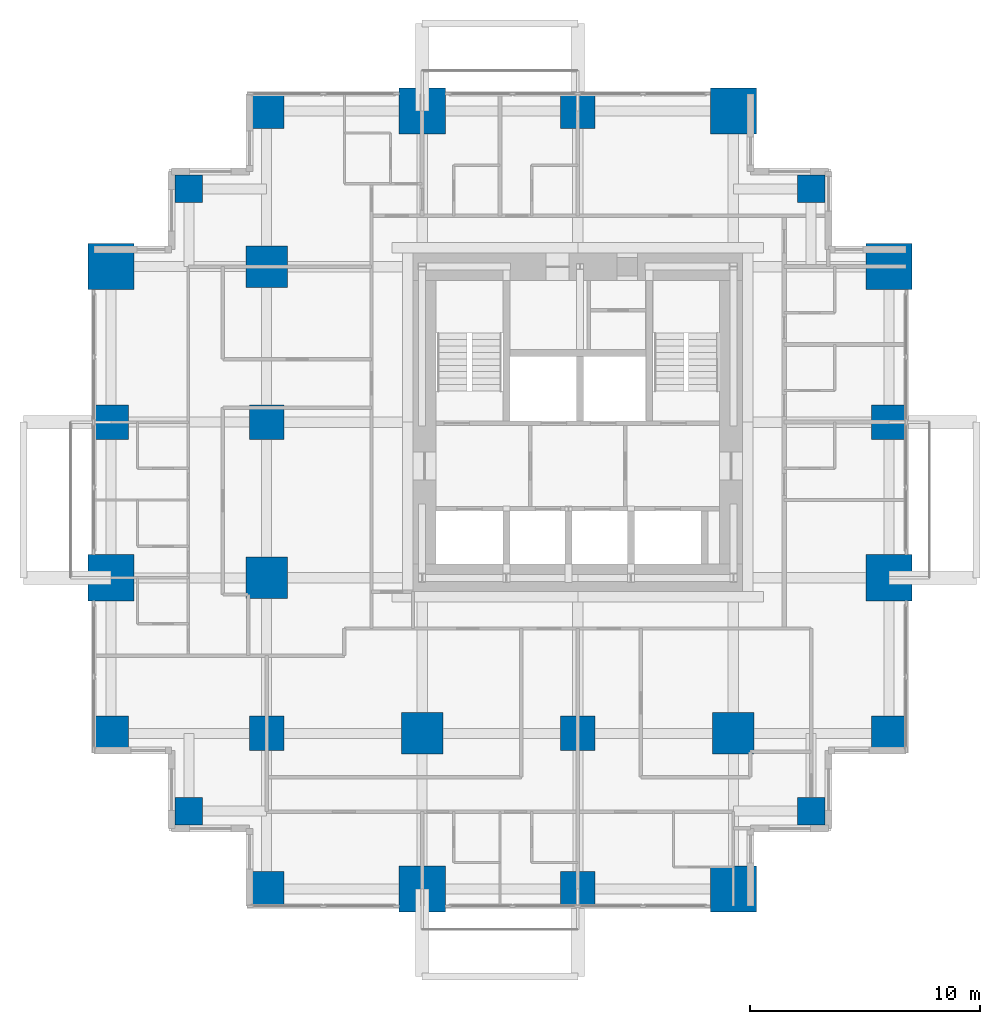
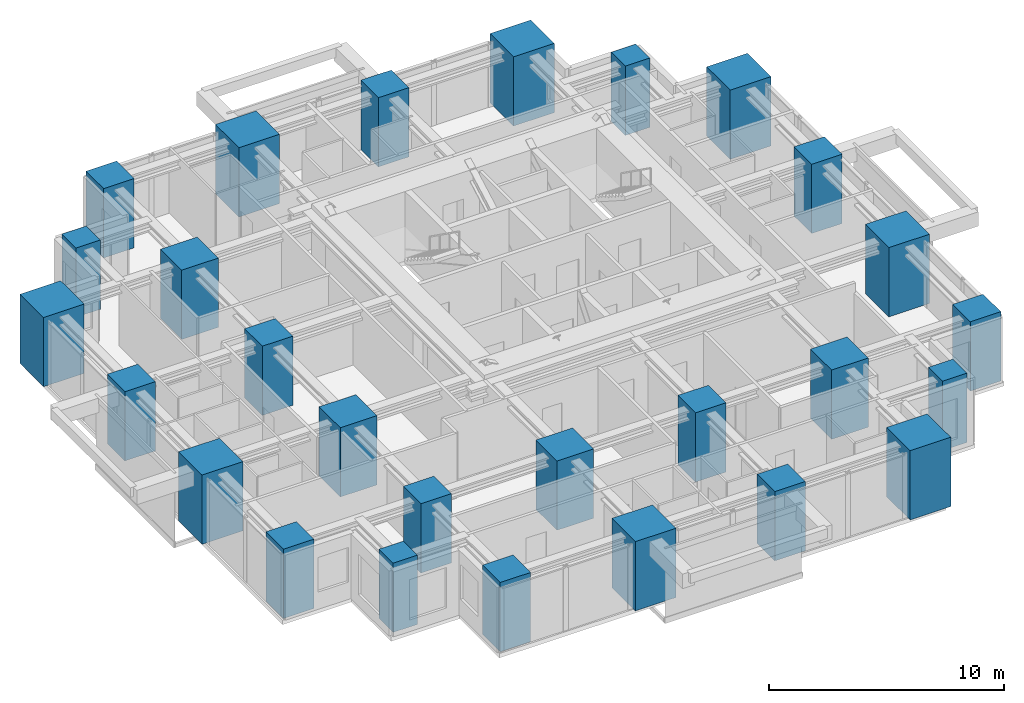
# One storey, part 1 of 10: 27 columns.
"""IFC4 building model written with IfcOpenShell, lengths in metres."""

from ifc_helpers import new_model, si_unit, direction, frame, origin, origin_2d, place, context, subcontext, project, spatial, rectangle, extrude, material, material_profile, profile_set, type_object, element, save


model = new_model("IFC4")

# Units and contexts
model_context = context("Model", 3, precision=1e-05, world=origin(), true_north=direction((0.0, 1.0)))
body_context = subcontext(model_context, "Body", "Model", "MODEL_VIEW")
ifc_project = project(units=[si_unit("LENGTHUNIT", "METRE"), si_unit("AREAUNIT", "SQUARE_METRE"), si_unit("VOLUMEUNIT", "CUBIC_METRE"), si_unit("PLANEANGLEUNIT", "RADIAN"), si_unit("MASSUNIT", "GRAM", prefix="KILO")], contexts=[model_context])

# Site, building, storey
site_placement = place(None, origin())
site = spatial("IfcSite", under=ifc_project, at=site_placement, CompositionType="ELEMENT")
building_placement = place(site_placement, origin())
building = spatial("IfcBuilding", under=site, at=building_placement, Name="Nyansa Garden Tower", CompositionType="ELEMENT")
storey_placement = place(building_placement, frame((0.0, 0.0, 145.800048828125)))
storey = spatial("IfcBuildingStorey", under=building, at=storey_placement, Name="L39", CompositionType="ELEMENT", Elevation=145.800048828125)

# Columns
ifc_material_1 = material(Name="Concrete C70/85", Category="concrete")
ifc_material_profile_1 = material_profile(ifc_material_1, rectangle(XDim=1.199951171875, YDim=1.199951171875, at=origin_2d()), Name="RC 1200x1200")
ifc_profile_set_1 = profile_set([ifc_material_profile_1], Name="Concrete C70/85")
column_type_1 = type_object("IfcColumnType", Name="Column C120 RC 1200x1200", PredefinedType="COLUMN", material=ifc_profile_set_1)
for number, where, z_axis, x_axis, name in (
    (1, (3.375, 3.375, 0.0), (0.0, 0.0, 1.0), (1.0, 0.0, 0.0), "Column x3.375/y3.375 L39"),
    (2, (3.375, 30.375, 0.0), (0.0, 0.0, 1.0), (1.0, 0.0, 0.0), "Column x3.375/y30.375 L39"),
    (3, (30.375, 3.375, 0.0), (0.0, 0.0, 1.0), (1.0, 0.0, 0.0), "Column x30.375/y3.375 L39"),
    (4, (30.375, 30.375, 0.0), (0.0, 0.0, 1.0), (1.0, 0.0, 0.0), "Column x30.375/y30.375 L39"),
):
    element("IfcColumn", number, at=place(storey_placement, frame(where, z_axis=z_axis, x_axis=x_axis)), inside=storey, type_object=column_type_1, Name=name, PredefinedType="COLUMN", context=body_context, shape_type="SweptSolid", body=[
        extrude(rectangle(XDim=1.199951171875, YDim=1.199951171875, at=origin_2d()), origin(), (0.0, 0.0, 1.0), 3.599853515625),
    ])
ifc_material_2 = material(Name="Concrete C80/95", Category="concrete")
ifc_material_profile_2 = material_profile(ifc_material_2, rectangle(XDim=1.5, YDim=1.5, at=origin_2d()), Name="RC 1500x1500")
ifc_profile_set_2 = profile_set([ifc_material_profile_2], Name="Concrete C80/95")
column_type_2 = type_object("IfcColumnType", Name="Column C150 RC 1500x1500", PredefinedType="COLUMN", material=ifc_profile_set_2)
for number, where, z_axis, x_axis, name in (
    (5, (0.0, 6.75, 0.0), (0.0, 0.0, 1.0), (1.0, 0.0, 0.0), "Column 2/E L39"),
    (6, (0.0, 20.25, 0.0), (0.0, 0.0, 1.0), (1.0, 0.0, 0.0), "Column 2/G L39"),
    (7, (6.75, 0.0, 0.0), (0.0, 0.0, 1.0), (1.0, 0.0, 0.0), "Column 3/D L39"),
    (8, (6.75, 6.75, 0.0), (0.0, 0.0, 1.0), (1.0, 0.0, 0.0), "Column 3/E L39"),
    (9, (6.75, 20.25, 0.0), (0.0, 0.0, 1.0), (1.0, 0.0, 0.0), "Column 3/G L39"),
    (10, (6.75, 33.75, 0.0), (0.0, 0.0, 1.0), (1.0, 0.0, 0.0), "Column 3/J L39"),
    (11, (20.25, 0.0, 0.0), (0.0, 0.0, 1.0), (1.0, 0.0, 0.0), "Column 5/D L39"),
    (12, (20.25, 6.75, 0.0), (0.0, 0.0, 1.0), (1.0, 0.0, 0.0), "Column 5/E L39"),
    (13, (20.25, 33.75, 0.0), (0.0, 0.0, 1.0), (1.0, 0.0, 0.0), "Column 5/J L39"),
    (14, (33.75, 6.75, 0.0), (0.0, 0.0, 1.0), (1.0, 0.0, 0.0), "Column 7/E L39"),
    (15, (33.75, 20.25, 0.0), (0.0, 0.0, 1.0), (1.0, 0.0, 0.0), "Column 7/G L39"),
):
    element("IfcColumn", number, at=place(storey_placement, frame(where, z_axis=z_axis, x_axis=x_axis)), inside=storey, type_object=column_type_2, Name=name, PredefinedType="COLUMN", context=body_context, shape_type="SweptSolid", body=[
        extrude(rectangle(XDim=1.5, YDim=1.5, at=origin_2d()), origin(), (0.0, 0.0, 1.0), 3.599853515625),
    ])
ifc_material_3 = material(Name="Concrete C80/95", Category="concrete")
ifc_material_profile_3 = material_profile(ifc_material_3, rectangle(XDim=1.800048828125, YDim=1.800048828125, at=origin_2d()), Name="RC 1800x1800")
ifc_profile_set_3 = profile_set([ifc_material_profile_3], Name="Concrete C80/95")
column_type_3 = type_object("IfcColumnType", Name="Column C180 RC 1800x1800", PredefinedType="COLUMN", material=ifc_profile_set_3)
for number, where, z_axis, x_axis, name in (
    (16, (6.75, 13.5, 0.0), (0.0, 0.0, 1.0), (1.0, 0.0, 0.0), "Column 3/F L39"),
    (17, (6.75, 27.0, 0.0), (0.0, 0.0, 1.0), (1.0, 0.0, 0.0), "Column 3/H L39"),
    (18, (13.5, 6.75, 0.0), (0.0, 0.0, 1.0), (1.0, 0.0, 0.0), "Column 4/E L39"),
    (19, (27.0, 6.75, 0.0), (0.0, 0.0, 1.0), (1.0, 0.0, 0.0), "Column 6/E L39"),
):
    element("IfcColumn", number, at=place(storey_placement, frame(where, z_axis=z_axis, x_axis=x_axis)), inside=storey, type_object=column_type_3, Name=name, PredefinedType="COLUMN", context=body_context, shape_type="SweptSolid", body=[
        extrude(rectangle(XDim=1.800048828125, YDim=1.800048828125, at=origin_2d()), origin(), (0.0, 0.0, 1.0), 3.599853515625),
    ])
ifc_material_4 = material(Name="Concrete C80/95", Category="concrete")
ifc_material_profile_4 = material_profile(ifc_material_4, rectangle(XDim=2.0, YDim=2.0, at=origin_2d()), Name="RC 2000x2000")
ifc_profile_set_4 = profile_set([ifc_material_profile_4], Name="Concrete C80/95")
column_type_4 = type_object("IfcColumnType", Name="Column C200 RC 2000x2000", PredefinedType="COLUMN", material=ifc_profile_set_4)
for number, where, z_axis, x_axis, name in (
    (20, (0.0, 13.5, 0.0), (0.0, 0.0, 1.0), (1.0, 0.0, 0.0), "Column 2/F L39"),
    (21, (0.0, 27.0, 0.0), (0.0, 0.0, 1.0), (1.0, 0.0, 0.0), "Column 2/H L39"),
    (22, (13.5, 0.0, 0.0), (0.0, 0.0, 1.0), (1.0, 0.0, 0.0), "Column 4/D L39"),
    (23, (13.5, 33.75, 0.0), (0.0, 0.0, 1.0), (1.0, 0.0, 0.0), "Column 4/J L39"),
    (24, (27.0, 0.0, 0.0), (0.0, 0.0, 1.0), (1.0, 0.0, 0.0), "Column 6/D L39"),
    (25, (27.0, 33.75, 0.0), (0.0, 0.0, 1.0), (1.0, 0.0, 0.0), "Column 6/J L39"),
    (26, (33.75, 13.5, 0.0), (0.0, 0.0, 1.0), (1.0, 0.0, 0.0), "Column 7/F L39"),
    (27, (33.75, 27.0, 0.0), (0.0, 0.0, 1.0), (1.0, 0.0, 0.0), "Column 7/H L39"),
):
    element("IfcColumn", number, at=place(storey_placement, frame(where, z_axis=z_axis, x_axis=x_axis)), inside=storey, type_object=column_type_4, Name=name, PredefinedType="COLUMN", context=body_context, shape_type="SweptSolid", body=[
        extrude(rectangle(XDim=2.0, YDim=2.0, at=origin_2d()), origin(), (0.0, 0.0, 1.0), 3.599853515625),
    ])

save(model, "model.ifc")
